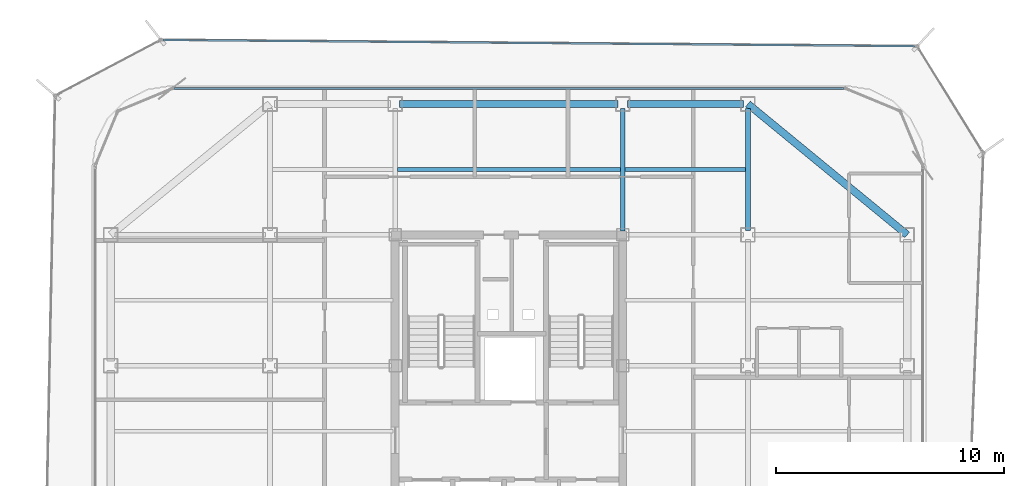
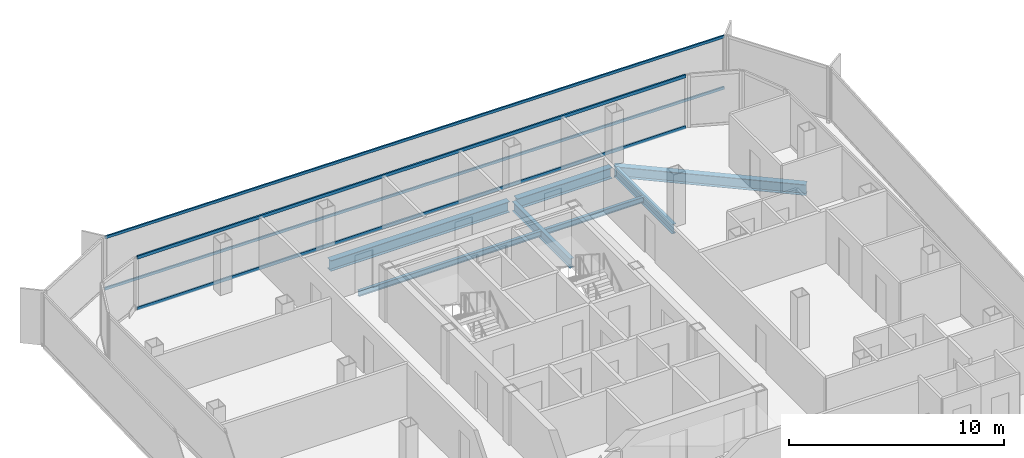
# One storey, part 7 of 15: 7 beams, 4 members, 2 elements without a shape of their own.
"""IFC4 building model written with IfcOpenShell, lengths in metres."""

from ifc_helpers import new_model, si_unit, direction, frame, origin, origin_2d, place, context, subcontext, project, spatial, hollow_rectangle, i_section, extrude, source, transform, mapped, material, layer, layer_set, material_profile, profile_set, type_object, element, aggregate, save


model = new_model("IFC4")

# Units and contexts
model_context = context("Model", 3, precision=1e-05, world=origin(), true_north=direction((0.0, 1.0)))
body_context = subcontext(model_context, "Body", "Model", "MODEL_VIEW")
ifc_project = project(units=[si_unit("LENGTHUNIT", "METRE"), si_unit("AREAUNIT", "SQUARE_METRE"), si_unit("VOLUMEUNIT", "CUBIC_METRE"), si_unit("PLANEANGLEUNIT", "RADIAN"), si_unit("MASSUNIT", "GRAM", prefix="KILO")], contexts=[model_context])

# Site, building, storey
site_placement = place(None, origin())
site = spatial("IfcSite", under=ifc_project, at=site_placement, CompositionType="ELEMENT")
building_placement = place(site_placement, origin())
building = spatial("IfcBuilding", under=site, at=building_placement, Name="Kolveth Station Tower", CompositionType="ELEMENT")
storey_placement = place(building_placement, frame((0.0, 0.0, 239.300048828125)))
storey = spatial("IfcBuildingStorey", under=building, at=storey_placement, Name="L68", CompositionType="ELEMENT", Elevation=239.300048828125)

# Beams
ifc_material_1 = material(Name="Steel S355", Category="steel")
ifc_material_profile_1 = material_profile(ifc_material_1, i_section(OverallWidth=0.323974609375, OverallDepth=0.611083984375, WebThickness=0.0126953125, FlangeThickness=0.01904296875, at=origin_2d()), Name="W610x155")
ifc_profile_set_1 = profile_set([ifc_material_profile_1], Name="Steel S355")
beam_type_1 = type_object("IfcBeamType", Name="Beam_SP2", PredefinedType="SPANDREL", material=ifc_profile_set_1)
shared_shape_1 = source(origin(), body_context, "Body", "SweptSolid", [
    extrude(i_section(OverallWidth=0.323974609375, OverallDepth=0.611083984375, WebThickness=0.0126953125, FlangeThickness=0.01904296875, at=origin_2d()), origin(), (0.0, 0.0, 1.0), 9.058837890625),
])
beam_1_placement = place(storey_placement, frame((41.0, 28.75, -0.525634765625), z_axis=(-0.772726254525, 0.63473942336, 0.0), x_axis=(-0.63473942336, -0.772726254525, 0.0)))
element("IfcBeam", 1, at=beam_1_placement, inside=storey, type_object=beam_type_1, Name="L68 Corner Edge Girder BM-L68-CNR-NE", PredefinedType="SPANDREL", context=body_context, shape_type="MappedRepresentation", body=[
    mapped(shared_shape_1, transform((0.0, 0.0, 0.0), x_axis=(1.0, 0.0, 0.0), y_axis=(0.0, 1.0, 0.0), z_axis=(0.0, 0.0, 1.0), scale=1.0)),
])
shared_shape_2 = source(origin(), body_context, "Body", "SweptSolid", [
    extrude(i_section(OverallWidth=0.323974609375, OverallDepth=0.611083984375, WebThickness=0.0126953125, FlangeThickness=0.01904296875, at=origin_2d()), origin(), (0.0, 0.0, 1.0), 5.10009765625),
])
beam_2_placement = place(storey_placement, frame((28.699951171875, 34.5, -0.525634765625), z_axis=(1.0, 0.0, 0.0), x_axis=(0.0, 1.0, 0.0)))
element("IfcBeam", 2, at=beam_2_placement, inside=storey, type_object=beam_type_1, Name="L68 Perimeter Spandrel BM-L68-PN-3", PredefinedType="SPANDREL", context=body_context, shape_type="MappedRepresentation", body=[
    mapped(shared_shape_2, transform((0.0, 0.0, 0.0), x_axis=(1.0, 0.0, 0.0), y_axis=(0.0, 1.0, 0.0), z_axis=(0.0, 0.0, 1.0), scale=1.0)),
])
shared_shape_3 = source(origin(), body_context, "Body", "SweptSolid", [
    extrude(i_section(OverallWidth=0.323974609375, OverallDepth=0.611083984375, WebThickness=0.0126953125, FlangeThickness=0.01904296875, at=origin_2d()), origin(), (0.0, 0.0, 1.0), 9.60009765625),
])
beam_3_placement = place(storey_placement, frame((18.699951171875, 34.5, -0.525634765625), z_axis=(1.0, 0.0, 0.0), x_axis=(0.0, 1.0, 0.0)))
element("IfcBeam", 3, at=beam_3_placement, inside=storey, type_object=beam_type_1, Name="L68 Perimeter Spandrel BM-L68-PN-2", PredefinedType="SPANDREL", context=body_context, shape_type="MappedRepresentation", body=[
    mapped(shared_shape_3, transform((0.0, 0.0, 0.0), x_axis=(1.0, 0.0, 0.0), y_axis=(0.0, 1.0, 0.0), z_axis=(0.0, 0.0, 1.0), scale=1.0)),
])
ifc_material_profile_2 = material_profile(ifc_material_1, i_section(OverallWidth=0.2099609375, OverallDepth=0.537109375, WebThickness=0.010986328125, FlangeThickness=0.017333984375, at=origin_2d()), Name="W530x101")
ifc_profile_set_2 = profile_set([ifc_material_profile_2], Name="Steel S355")
beam_type_2 = type_object("IfcBeamType", Name="Beam_B6", PredefinedType="BEAM", material=ifc_profile_set_2)
shared_shape_4 = source(origin(), body_context, "Body", "SweptSolid", [
    extrude(i_section(OverallWidth=0.2099609375, OverallDepth=0.537109375, WebThickness=0.010986328125, FlangeThickness=0.017333984375, at=origin_2d()), origin(), (0.0, 0.0, 1.0), 5.35009765625),
])
beam_4_placement = place(storey_placement, frame((34.0, 28.949951171875, -0.488525390625), z_axis=(0.0, 1.0, 0.0), x_axis=(-1.0, 0.0, 0.0)))
element("IfcBeam", 4, at=beam_4_placement, inside=storey, type_object=beam_type_2, Name="L68 Primary Girder BM-L68-GX340-6", PredefinedType="BEAM", context=body_context, shape_type="MappedRepresentation", body=[
    mapped(shared_shape_4, transform((0.0, 0.0, 0.0), x_axis=(1.0, 0.0, 0.0), y_axis=(0.0, 1.0, 0.0), z_axis=(0.0, 0.0, 1.0), scale=1.0)),
])
shared_shape_5 = source(origin(), body_context, "Body", "SweptSolid", [
    extrude(i_section(OverallWidth=0.2099609375, OverallDepth=0.537109375, WebThickness=0.010986328125, FlangeThickness=0.017333984375, at=origin_2d()), origin(), (0.0, 0.0, 1.0), 5.39013671875),
])
beam_5_placement = place(storey_placement, frame((28.5, 28.909912109375, -0.488525390625), z_axis=(0.0, 1.0, 0.0), x_axis=(-1.0, 0.0, 0.0)))
element("IfcBeam", 5, at=beam_5_placement, inside=storey, type_object=beam_type_2, Name="L68 Primary Girder BM-L68-GX285-6", PredefinedType="BEAM", context=body_context, shape_type="MappedRepresentation", body=[
    mapped(shared_shape_5, transform((0.0, 0.0, 0.0), x_axis=(1.0, 0.0, 0.0), y_axis=(0.0, 1.0, 0.0), z_axis=(0.0, 0.0, 1.0), scale=1.0)),
])
ifc_material_profile_3 = material_profile(ifc_material_1, i_section(OverallWidth=0.1650390625, OverallDepth=0.31005859375, WebThickness=0.005859375, FlangeThickness=0.009765625, at=origin_2d()), Name="W310x39")
ifc_profile_set_3 = profile_set([ifc_material_profile_3], Name="Steel S355")
beam_type_3 = type_object("IfcBeamType", Name="Beam_J3", PredefinedType="JOIST", material=ifc_profile_set_3)
shared_shape_6 = source(origin(), body_context, "Body", "SweptSolid", [
    extrude(i_section(OverallWidth=0.1650390625, OverallDepth=0.31005859375, WebThickness=0.005859375, FlangeThickness=0.009765625, at=origin_2d()), origin(), (0.0, 0.0, 1.0), 5.2939453125),
])
beam_6_placement = place(storey_placement, frame((28.60302734375, 31.625, -0.375), z_axis=(1.0, 0.0, 0.0), x_axis=(0.0, 1.0, 0.0)))
element("IfcBeam", 6, at=beam_6_placement, inside=storey, type_object=beam_type_3, Name="L68 Secondary Joist JST-L68-4-6", PredefinedType="JOIST", context=body_context, shape_type="MappedRepresentation", body=[
    mapped(shared_shape_6, transform((0.0, 0.0, 0.0), x_axis=(1.0, 0.0, 0.0), y_axis=(0.0, 1.0, 0.0), z_axis=(0.0, 0.0, 1.0), scale=1.0)),
])
shared_shape_7 = source(origin(), body_context, "Body", "SweptSolid", [
    extrude(i_section(OverallWidth=0.1650390625, OverallDepth=0.31005859375, WebThickness=0.005859375, FlangeThickness=0.009765625, at=origin_2d()), origin(), (0.0, 0.0, 1.0), 9.7939453125),
])
beam_7_placement = place(storey_placement, frame((18.60302734375, 31.625, -0.375), z_axis=(1.0, 0.0, 0.0), x_axis=(0.0, 1.0, 0.0)))
element("IfcBeam", 7, at=beam_7_placement, inside=storey, type_object=beam_type_3, Name="L68 Secondary Joist JST-L68-3-6", PredefinedType="JOIST", context=body_context, shape_type="MappedRepresentation", body=[
    mapped(shared_shape_7, transform((0.0, 0.0, 0.0), x_axis=(1.0, 0.0, 0.0), y_axis=(0.0, 1.0, 0.0), z_axis=(0.0, 0.0, 1.0), scale=1.0)),
])

# Curtain wall, members
ifc_material_2 = material(Name="Aluminium 6063-T6 and triple low-E dark glass", Category="aluminium")
ifc_layer_1 = layer(ifc_material_2, 0.199951171875)
ifc_layer_set_1 = layer_set([ifc_layer_1], Name="Aluminium 6063-T6 and triple low-E dark glass")
curtain_wall_type_1 = type_object("IfcCurtainWallType", Name="CurtainWall_CW-Z3", PredefinedType="NOTDEFINED", material=ifc_layer_set_1)
curtain_wall_1_placement = place(storey_placement, origin())
curtain_wall_1 = element("IfcCurtainWall", 8, at=curtain_wall_1_placement, inside=storey, type_object=curtain_wall_type_1, Name="L68 Inner Thermal Curtain Wall 6", PredefinedType="NOTDEFINED")
ifc_material_3 = material(Name="Black anodized aluminium 6063-T6", Category="aluminium")
ifc_material_profile_4 = material_profile(ifc_material_3, hollow_rectangle(XDim=0.0849609375, YDim=0.179931640625, WallThickness=0.0048828125, at=origin_2d()), Name="ALU-85x180x5")
ifc_profile_set_4 = profile_set([ifc_material_profile_4], Name="Black anodized aluminium 6063-T6")
member_type_1 = type_object("IfcMemberType", Name="Transom_TR3", PredefinedType="USERDEFINED", material=ifc_profile_set_4)
shared_shape_8 = source(origin(), body_context, "Body", "SweptSolid", [
    extrude(hollow_rectangle(XDim=0.0849609375, YDim=0.179931640625, WallThickness=0.0048828125, at=origin_2d()), origin(), (0.0, 0.0, 1.0), 29.43017578125),
])
member_1_placement = place(storey_placement, frame((38.215087890625, 35.179931640625, 0.04248046875), z_axis=(-1.0, 0.0, 0.0), x_axis=(0.0, -1.0, 0.0)))
member_1 = element("IfcMember", 9, at=member_1_placement, type_object=member_type_1, Name="CW-Z3 transom 1.1", ObjectType="TRANSOM", PredefinedType="USERDEFINED", context=body_context, shape_type="MappedRepresentation", body=[
    mapped(shared_shape_8, transform((0.0, 0.0, 0.0), x_axis=(1.0, 0.0, 0.0), y_axis=(0.0, 1.0, 0.0), z_axis=(0.0, 0.0, 1.0), scale=1.0)),
])
member_2_placement = place(storey_placement, frame((38.215087890625, 35.179931640625, 2.9375), z_axis=(-1.0, 0.0, 0.0), x_axis=(0.0, -1.0, 0.0)))
member_2 = element("IfcMember", 10, at=member_2_placement, type_object=member_type_1, Name="CW-Z3 transom 1.2", ObjectType="TRANSOM", PredefinedType="USERDEFINED", context=body_context, shape_type="MappedRepresentation", body=[
    mapped(shared_shape_8, transform((0.0, 0.0, 0.0), x_axis=(1.0, 0.0, 0.0), y_axis=(0.0, 1.0, 0.0), z_axis=(0.0, 0.0, 1.0), scale=1.0)),
])
aggregate(curtain_wall_1, [member_1, member_2])

ifc_material_4 = material(Name="Black anodized aluminium 6063-T6 and dark solar glass", Category="aluminium")
ifc_layer_2 = layer(ifc_material_4, 0.159912109375)
ifc_layer_set_2 = layer_set([ifc_layer_2], Name="Black anodized aluminium 6063-T6 and dark solar glass")
curtain_wall_type_2 = type_object("IfcCurtainWallType", Name="OUTER SKIN CW-OS", PredefinedType="NOTDEFINED", material=ifc_layer_set_2)
curtain_wall_2_placement = place(storey_placement, origin())
curtain_wall_2 = element("IfcCurtainWall", 11, at=curtain_wall_2_placement, inside=storey, type_object=curtain_wall_type_2, Name="L68 Outer Ventilated Skin Curtain Wall 4", PredefinedType="NOTDEFINED")
ifc_material_profile_5 = material_profile(ifc_material_3, hollow_rectangle(XDim=0.080078125, YDim=0.14990234375, WallThickness=0.0048828125, at=origin_2d()), Name="ALU-80x150x5")
ifc_profile_set_5 = profile_set([ifc_material_profile_5], Name="Black anodized aluminium 6063-T6")
member_type_2 = type_object("IfcMemberType", Name="Transom_TR-OS", PredefinedType="USERDEFINED", material=ifc_profile_set_5)
shared_shape_9 = source(origin(), body_context, "Body", "SweptSolid", [
    extrude(hollow_rectangle(XDim=0.080078125, YDim=0.14990234375, WallThickness=0.0048828125, at=origin_2d()), origin(), (0.0, 0.0, 1.0), 33.055908203125),
])
member_3_placement = place(storey_placement, frame((41.35009765625, 37.04052734375, 0.0400390625), z_axis=(-0.999965908556, 0.008257222626, 0.0), x_axis=(-0.008257222626, -0.999965908556, 0.0)))
member_3 = element("IfcMember", 12, at=member_3_placement, type_object=member_type_2, Name="CW-OS transom 1.1", ObjectType="TRANSOM", PredefinedType="USERDEFINED", context=body_context, shape_type="MappedRepresentation", body=[
    mapped(shared_shape_9, transform((0.0, 0.0, 0.0), x_axis=(1.0, 0.0, 0.0), y_axis=(0.0, 1.0, 0.0), z_axis=(0.0, 0.0, 1.0), scale=1.0)),
])
member_4_placement = place(storey_placement, frame((41.35009765625, 37.04052734375, 2.949951171875), z_axis=(-0.999965908556, 0.008257222626, 0.0), x_axis=(-0.008257222626, -0.999965908556, 0.0)))
member_4 = element("IfcMember", 13, at=member_4_placement, type_object=member_type_2, Name="CW-OS transom 1.2", ObjectType="TRANSOM", PredefinedType="USERDEFINED", context=body_context, shape_type="MappedRepresentation", body=[
    mapped(shared_shape_9, transform((0.0, 0.0, 0.0), x_axis=(1.0, 0.0, 0.0), y_axis=(0.0, 1.0, 0.0), z_axis=(0.0, 0.0, 1.0), scale=1.0)),
])
aggregate(curtain_wall_2, [member_3, member_4])

save(model, "model.ifc")
